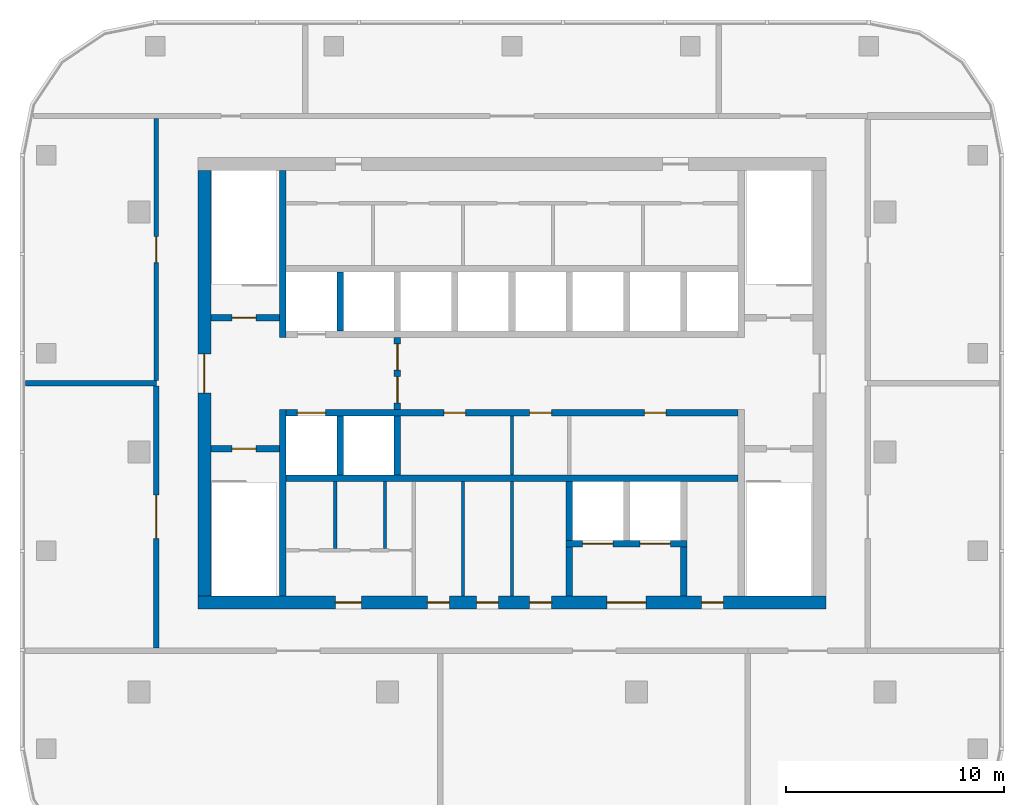
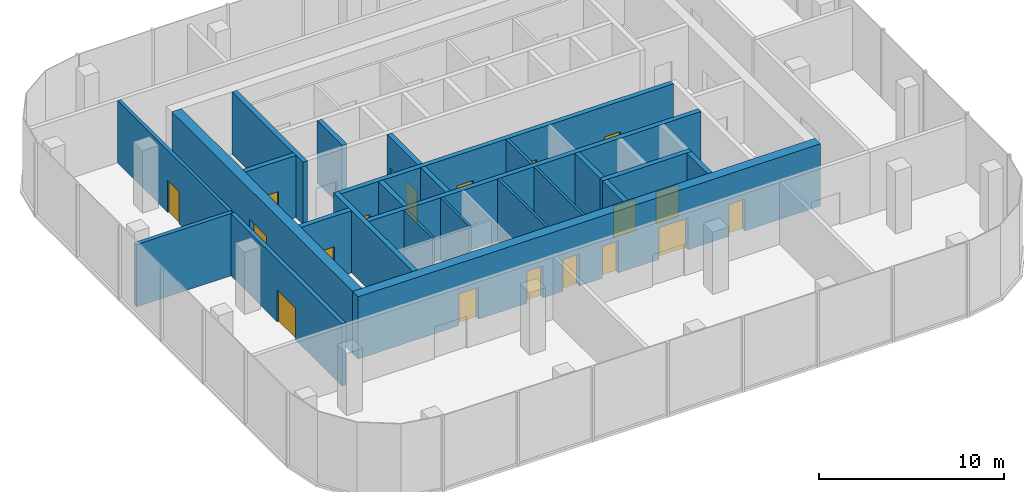
# One storey, part 4 of 6: 24 walls, 19 doors, 19 openings.
"""IFC4 building model written with IfcOpenShell, lengths in metres."""

from ifc_helpers import new_model, si_unit, direction, frame, frame_2d, origin, place, context, subcontext, project, spatial, rectangle, extrude, material, layer, layer_set, type_object, element, fill, save


model = new_model("IFC4")

# Units and contexts
model_context = context("Model", 3, precision=1e-05, world=origin(), true_north=direction((0.0, 1.0)))
body_context = subcontext(model_context, "Body", "Model", "MODEL_VIEW")
ifc_project = project(units=[si_unit("LENGTHUNIT", "METRE"), si_unit("AREAUNIT", "SQUARE_METRE"), si_unit("VOLUMEUNIT", "CUBIC_METRE"), si_unit("PLANEANGLEUNIT", "RADIAN"), si_unit("MASSUNIT", "GRAM", prefix="KILO")], contexts=[model_context])

# Site, building, storey
site_placement = place(None, origin())
site = spatial("IfcSite", under=ifc_project, at=site_placement, CompositionType="ELEMENT")
building_placement = place(site_placement, origin())
building = spatial("IfcBuilding", under=site, at=building_placement, Name="Mopane Tessera Tower", CompositionType="ELEMENT")
storey_placement = place(building_placement, frame((0.0, 0.0, 357.39990234375)))
storey = spatial("IfcBuildingStorey", under=building, at=storey_placement, Name="Roof plant", CompositionType="ELEMENT", Elevation=357.39990234375)

# Walls
ifc_material_1 = material(Name="Fire-rated gypsum board partition")
ifc_layer_1 = layer(ifc_material_1, 0.14990234375)
ifc_layer_set_1 = layer_set([ifc_layer_1], Name="Fire-rated gypsum board partition")
wall_type_1 = type_object("IfcWallType", Name="Core room partition 150 mm", PredefinedType="PARTITIONING", material=ifc_layer_set_1)
for number, where, z_axis, x_axis, name in (
    (1, (-8.10009765625, -4.425048828125, 0.0), (0.0, 0.0, 1.0), (0.0, 1.0, 0.0), "Roof plant WC partition"),
    (2, (-5.820068359375, -4.425048828125, 0.0), (0.0, 0.0, 1.0), (0.0, 1.0, 0.0), "Roof plant WC partition"),
):
    element("IfcWall", number, at=place(storey_placement, frame(where, z_axis=z_axis, x_axis=x_axis)), inside=storey, type_object=wall_type_1, Name=name, PredefinedType="PARTITIONING", context=body_context, shape_type="SweptSolid", body=[
        extrude(rectangle(XDim=3.074951171875, YDim=0.14990234375, at=frame_2d((1.53759765625, 0.0))), origin(), (0.0, 0.0, 1.0), 4.10009765625),
    ])
for number, where, z_axis, x_axis, name in (
    (3, (-2.25, -6.60009765625, 0.0), (0.0, 0.0, 1.0), (0.0, 1.0, 0.0), "Roof plant Room partition"),
    (4, (0.0, -6.60009765625, 0.0), (0.0, 0.0, 1.0), (0.0, 1.0, 0.0), "Roof plant Room partition"),
):
    element("IfcWall", number, at=place(storey_placement, frame(where, z_axis=z_axis, x_axis=x_axis)), inside=storey, type_object=wall_type_1, Name=name, PredefinedType="PARTITIONING", context=body_context, shape_type="SweptSolid", body=[
        extrude(rectangle(XDim=5.25, YDim=0.14990234375, at=frame_2d((2.625, 0.0))), origin(), (0.0, 0.0, 1.0), 4.10009765625),
    ])
wall_1_placement = place(storey_placement, frame((0.0, -1.050048828125, 0.0), z_axis=(0.0, 0.0, 1.0), x_axis=(0.0, 1.0, 0.0)))
element("IfcWall", 5, at=wall_1_placement, inside=storey, type_object=wall_type_1, Name="Roof plant Room partition", PredefinedType="PARTITIONING", context=body_context, shape_type="SweptSolid", body=[
    extrude(rectangle(XDim=2.699951171875, YDim=0.14990234375, at=frame_2d((1.35009765625, 0.0))), origin(), (0.0, 0.0, 1.0), 4.10009765625),
])

# Wall, openings, doors
ifc_material_2 = material(Name="Concrete C70/85", Category="concrete")
ifc_layer_2 = layer(ifc_material_2, 0.60009765625)
ifc_layer_set_2 = layer_set([ifc_layer_2], Name="Concrete C70/85")
wall_type_2 = type_object("IfcWallType", Name="Core shear wall 600 mm", PredefinedType="SHEAR", material=ifc_layer_set_2)
wall_2_placement = place(storey_placement, frame((-14.39990234375, -6.89990234375, 0.0), z_axis=(0.0, 0.0, 1.0), x_axis=(1.0, 0.0, 0.0)))
wall_2 = element("IfcWall", 6, at=wall_2_placement, inside=storey, type_object=wall_type_2, Name="Roof plant Core wall south", PredefinedType="SHEAR", context=body_context, shape_type="SweptSolid", body=[
    extrude(rectangle(XDim=28.7998046875, YDim=0.60009765625, at=frame_2d((14.39990234375, 0.0))), origin(), (0.0, 0.0, 1.0), 4.10009765625),
])
opening_1_placement = place(wall_2_placement, frame((6.300048828125, 0.0, 0.0)))
opening_1 = element("IfcOpeningElement", 7, at=opening_1_placement, cuts=wall_2, Name="Opening WD3", PredefinedType="OPENING", context=body_context, shape_type="SweptSolid", body=[
    extrude(rectangle(XDim=1.199951171875, YDim=2.10009765625, at=frame_2d((0.60009765625, 1.050048828125))), frame((0.0, 0.31201171875, 0.0), z_axis=(0.0, -1.0, 0.0), x_axis=(1.0, 0.0, 0.0)), (0.0, 0.0, 1.0), 0.6240234375),
])
opening_2_placement = place(wall_2_placement, frame((10.52490234375, 0.0, 0.0)))
opening_2 = element("IfcOpeningElement", 8, at=opening_2_placement, cuts=wall_2, Name="Opening RD1", PredefinedType="OPENING", context=body_context, shape_type="SweptSolid", body=[
    extrude(rectangle(XDim=1.0, YDim=2.10009765625, at=frame_2d((0.5, 1.050048828125))), frame((0.0, 0.31201171875, 0.0), z_axis=(0.0, -1.0, 0.0), x_axis=(1.0, 0.0, 0.0)), (0.0, 0.0, 1.0), 0.6240234375),
])
opening_3_placement = place(wall_2_placement, frame((12.77490234375, 0.0, 0.0)))
opening_3 = element("IfcOpeningElement", 9, at=opening_3_placement, cuts=wall_2, Name="Opening RD1", PredefinedType="OPENING", context=body_context, shape_type="SweptSolid", body=[
    extrude(rectangle(XDim=1.0, YDim=2.10009765625, at=frame_2d((0.5, 1.050048828125))), frame((0.0, 0.31201171875, 0.0), z_axis=(0.0, -1.0, 0.0), x_axis=(1.0, 0.0, 0.0)), (0.0, 0.0, 1.0), 0.6240234375),
])
opening_4_placement = place(wall_2_placement, frame((15.21240234375, 0.0, 0.0)))
opening_4 = element("IfcOpeningElement", 10, at=opening_4_placement, cuts=wall_2, Name="Opening RD1", PredefinedType="OPENING", context=body_context, shape_type="SweptSolid", body=[
    extrude(rectangle(XDim=1.0, YDim=2.10009765625, at=frame_2d((0.5, 1.050048828125))), frame((0.0, 0.31201171875, 0.0), z_axis=(0.0, -1.0, 0.0), x_axis=(1.0, 0.0, 0.0)), (0.0, 0.0, 1.0), 0.6240234375),
])
opening_5_placement = place(wall_2_placement, frame((18.75, 0.0, 0.0)))
opening_5 = element("IfcOpeningElement", 11, at=opening_5_placement, cuts=wall_2, Name="Opening SD2", PredefinedType="OPENING", context=body_context, shape_type="SweptSolid", body=[
    extrude(rectangle(XDim=1.800048828125, YDim=2.10009765625, at=frame_2d((0.89990234375, 1.050048828125))), frame((0.0, 0.31201171875, 0.0), z_axis=(0.0, -1.0, 0.0), x_axis=(1.0, 0.0, 0.0)), (0.0, 0.0, 1.0), 0.6240234375),
])
opening_6_placement = place(wall_2_placement, frame((23.08740234375, 0.0, 0.0)))
opening_6 = element("IfcOpeningElement", 12, at=opening_6_placement, cuts=wall_2, Name="Opening RD1", PredefinedType="OPENING", context=body_context, shape_type="SweptSolid", body=[
    extrude(rectangle(XDim=1.0, YDim=2.10009765625, at=frame_2d((0.5, 1.050048828125))), frame((0.0, 0.31201171875, 0.0), z_axis=(0.0, -1.0, 0.0), x_axis=(1.0, 0.0, 0.0)), (0.0, 0.0, 1.0), 0.6240234375),
])
ifc_material_3 = material(Name="Steel fire door", Category="steel")
door_type_1 = type_object("IfcDoorType", Name="Core entrance double door 1800 x 2100", OperationType="DOUBLE_DOOR_SINGLE_SWING", PredefinedType="DOOR", material=ifc_material_3)
door_1_placement = place(opening_5_placement, origin())
door_1 = element("IfcDoor", 13, at=door_1_placement, inside=storey, type_object=door_type_1, Name="Roof plant Service lobby door", OperationType="DOUBLE_DOOR_SINGLE_SWING", OverallHeight=2.10009765625, OverallWidth=1.800048828125, PredefinedType="DOOR", context=body_context, shape_type="SweptSolid", body=[
    extrude(rectangle(XDim=1.800048828125, YDim=2.10009765625, at=frame_2d((0.89990234375, 1.050048828125))), frame((0.0, 0.02490234375, 0.0), z_axis=(0.0, -1.0, 0.0), x_axis=(1.0, 0.0, 0.0)), (0.0, 0.0, 1.0), 0.050048828125),
])
fill(opening_5, door_1)
ifc_material_4 = material(Name="Timber door", Category="wood")
door_type_2 = type_object("IfcDoorType", Name="Core room door 1000 x 2100", OperationType="SINGLE_SWING_LEFT", PredefinedType="DOOR", material=ifc_material_4)
door_2_placement = place(opening_2_placement, origin())
door_2 = element("IfcDoor", 14, at=door_2_placement, inside=storey, type_object=door_type_2, Name="Roof plant Room door", OperationType="SINGLE_SWING_LEFT", OverallHeight=2.10009765625, OverallWidth=1.0, PredefinedType="DOOR", context=body_context, shape_type="SweptSolid", body=[
    extrude(rectangle(XDim=1.0, YDim=2.10009765625, at=frame_2d((0.5, 1.050048828125))), frame((0.0, 0.02490234375, 0.0), z_axis=(0.0, -1.0, 0.0), x_axis=(1.0, 0.0, 0.0)), (0.0, 0.0, 1.0), 0.050048828125),
])
fill(opening_2, door_2)
door_3_placement = place(opening_3_placement, origin())
door_3 = element("IfcDoor", 15, at=door_3_placement, inside=storey, type_object=door_type_2, Name="Roof plant Room door", OperationType="SINGLE_SWING_LEFT", OverallHeight=2.10009765625, OverallWidth=1.0, PredefinedType="DOOR", context=body_context, shape_type="SweptSolid", body=[
    extrude(rectangle(XDim=1.0, YDim=2.10009765625, at=frame_2d((0.5, 1.050048828125))), frame((0.0, 0.02490234375, 0.0), z_axis=(0.0, -1.0, 0.0), x_axis=(1.0, 0.0, 0.0)), (0.0, 0.0, 1.0), 0.050048828125),
])
fill(opening_3, door_3)
door_4_placement = place(opening_4_placement, origin())
door_4 = element("IfcDoor", 16, at=door_4_placement, inside=storey, type_object=door_type_2, Name="Roof plant Room door", OperationType="SINGLE_SWING_LEFT", OverallHeight=2.10009765625, OverallWidth=1.0, PredefinedType="DOOR", context=body_context, shape_type="SweptSolid", body=[
    extrude(rectangle(XDim=1.0, YDim=2.10009765625, at=frame_2d((0.5, 1.050048828125))), frame((0.0, 0.02490234375, 0.0), z_axis=(0.0, -1.0, 0.0), x_axis=(1.0, 0.0, 0.0)), (0.0, 0.0, 1.0), 0.050048828125),
])
fill(opening_4, door_4)
door_5_placement = place(opening_6_placement, origin())
door_5 = element("IfcDoor", 17, at=door_5_placement, inside=storey, type_object=door_type_2, Name="Roof plant Room door", OperationType="SINGLE_SWING_LEFT", OverallHeight=2.10009765625, OverallWidth=1.0, PredefinedType="DOOR", context=body_context, shape_type="SweptSolid", body=[
    extrude(rectangle(XDim=1.0, YDim=2.10009765625, at=frame_2d((0.5, 1.050048828125))), frame((0.0, 0.02490234375, 0.0), z_axis=(0.0, -1.0, 0.0), x_axis=(1.0, 0.0, 0.0)), (0.0, 0.0, 1.0), 0.050048828125),
])
fill(opening_6, door_5)
ifc_material_5 = material(Name="Timber door", Category="wood")
door_type_3 = type_object("IfcDoorType", Name="WC lobby door 1200 x 2100", OperationType="SINGLE_SWING_LEFT", PredefinedType="DOOR", material=ifc_material_5)
door_6_placement = place(opening_1_placement, origin())
door_6 = element("IfcDoor", 18, at=door_6_placement, inside=storey, type_object=door_type_3, Name="Roof plant WC lobby door", OperationType="SINGLE_SWING_LEFT", OverallHeight=2.10009765625, OverallWidth=1.199951171875, PredefinedType="DOOR", context=body_context, shape_type="SweptSolid", body=[
    extrude(rectangle(XDim=1.199951171875, YDim=2.10009765625, at=frame_2d((0.60009765625, 1.050048828125))), frame((0.0, 0.02490234375, 0.0), z_axis=(0.0, -1.0, 0.0), x_axis=(1.0, 0.0, 0.0)), (0.0, 0.0, 1.0), 0.050048828125),
])
fill(opening_1, door_6)

# Wall, opening, door
wall_3_placement = place(storey_placement, frame((-14.10009765625, -6.60009765625, 0.0), z_axis=(0.0, 0.0, 1.0), x_axis=(0.0, 1.0, 0.0)))
wall_3 = element("IfcWall", 19, at=wall_3_placement, inside=storey, type_object=wall_type_2, Name="Roof plant Core wall west", PredefinedType="SHEAR", context=body_context, shape_type="SweptSolid", body=[
    extrude(rectangle(XDim=19.5, YDim=0.60009765625, at=frame_2d((9.75, 0.0))), origin(), (0.0, 0.0, 1.0), 4.10009765625),
])
opening_7_placement = place(wall_3_placement, frame((9.300048828125, 0.0, 0.0)))
opening_7 = element("IfcOpeningElement", 20, at=opening_7_placement, cuts=wall_3, Name="Opening SD2", PredefinedType="OPENING", context=body_context, shape_type="SweptSolid", body=[
    extrude(rectangle(XDim=1.800048828125, YDim=2.10009765625, at=frame_2d((0.89990234375, 1.050048828125))), frame((0.0, 0.31201171875, 0.0), z_axis=(0.0, -1.0, 0.0), x_axis=(1.0, 0.0, 0.0)), (0.0, 0.0, 1.0), 0.6240234375),
])
door_7_placement = place(opening_7_placement, origin())
door_7 = element("IfcDoor", 21, at=door_7_placement, inside=storey, type_object=door_type_1, Name="Roof plant Core entrance door west", OperationType="DOUBLE_DOOR_SINGLE_SWING", OverallHeight=2.10009765625, OverallWidth=1.800048828125, PredefinedType="DOOR", context=body_context, shape_type="SweptSolid", body=[
    extrude(rectangle(XDim=1.800048828125, YDim=2.10009765625, at=frame_2d((0.89990234375, 1.050048828125))), frame((0.0, 0.02490234375, 0.0), z_axis=(0.0, -1.0, 0.0), x_axis=(1.0, 0.0, 0.0)), (0.0, 0.0, 1.0), 0.050048828125),
])
fill(opening_7, door_7)

# Walls
ifc_material_6 = material(Name="Concrete C60/75", Category="concrete")
ifc_layer_3 = layer(ifc_material_6, 0.300048828125)
ifc_layer_set_3 = layer_set([ifc_layer_3], Name="Concrete C60/75")
wall_type_3 = type_object("IfcWallType", Name="Core spine wall 300 mm", PredefinedType="SHEAR", material=ifc_layer_set_3)
wall_4_placement = place(storey_placement, frame((-10.5, -6.60009765625, 0.0), z_axis=(0.0, 0.0, 1.0), x_axis=(0.0, 1.0, 0.0)))
element("IfcWall", 22, at=wall_4_placement, inside=storey, type_object=wall_type_3, Name="Roof plant Core spine wall", PredefinedType="SHEAR", context=body_context, shape_type="SweptSolid", body=[
    extrude(rectangle(XDim=8.550048828125, YDim=0.300048828125, at=frame_2d((4.27490234375, 0.0))), origin(), (0.0, 0.0, 1.0), 4.10009765625),
])
wall_5_placement = place(storey_placement, frame((-10.5, 5.25, 0.0), z_axis=(0.0, 0.0, 1.0), x_axis=(0.0, 1.0, 0.0)))
element("IfcWall", 23, at=wall_5_placement, inside=storey, type_object=wall_type_3, Name="Roof plant Core spine wall", PredefinedType="SHEAR", context=body_context, shape_type="SweptSolid", body=[
    extrude(rectangle(XDim=7.64990234375, YDim=0.300048828125, at=frame_2d((3.824951171875, 0.0))), origin(), (0.0, 0.0, 1.0), 4.10009765625),
])

# Wall, opening, door
ifc_material_7 = material(Name="Gypsum board on steel studs, two layers each face, mineral wool infill", Category="steel")
ifc_layer_4 = layer(ifc_material_7, 0.199951171875)
ifc_layer_set_4 = layer_set([ifc_layer_4], Name="Gypsum board on steel studs, two layers each face, mineral wool infill")
wall_type_4 = type_object("IfcWallType", Name="Gypsum board corridor wall 200, rated EI 60", PredefinedType="PARTITIONING", material=ifc_layer_set_4)
wall_6_placement = place(storey_placement, frame((-16.300048828125, 3.27490234375, 0.0), z_axis=(0.0, 0.0, 1.0), x_axis=(0.0, 1.0, 0.0)))
wall_6 = element("IfcWall", 24, at=wall_6_placement, inside=storey, type_object=wall_type_4, Name="Partition Roof plant:008", PredefinedType="PARTITIONING", context=body_context, shape_type="SweptSolid", body=[
    extrude(rectangle(XDim=12.0, YDim=0.199951171875, at=frame_2d((6.0, 0.0))), origin(), (0.0, 0.0, 1.0), 4.10009765625),
])
opening_8_placement = place(wall_6_placement, frame((5.39990234375, 0.0, 0.0)))
opening_8 = element("IfcOpeningElement", 25, at=opening_8_placement, cuts=wall_6, Name="Opening Roof plant-08", PredefinedType="OPENING", context=body_context, shape_type="SweptSolid", body=[
    extrude(rectangle(XDim=1.199951171875, YDim=2.10009765625, at=frame_2d((0.60009765625, 1.050048828125))), frame((0.0, 0.112060546875, 0.0), z_axis=(0.0, -1.0, 0.0), x_axis=(1.0, 0.0, 0.0)), (0.0, 0.0, 1.0), 0.223876953125),
])
ifc_material_8 = material(Name="Timber veneered steel-framed fire door", Category="steel")
door_type_4 = type_object("IfcDoorType", Name="Fire door FD60 1200 x 2100", OperationType="SINGLE_SWING_LEFT", PredefinedType="DOOR", material=ifc_material_8)
door_8_placement = place(opening_8_placement, origin())
door_8 = element("IfcDoor", 26, at=door_8_placement, inside=storey, type_object=door_type_4, Name="Door Roof plant-08", ObjectType="D15A", OperationType="SINGLE_SWING_LEFT", OverallHeight=2.10009765625, OverallWidth=1.199951171875, PredefinedType="DOOR", context=body_context, shape_type="SweptSolid", body=[
    extrude(rectangle(XDim=1.199951171875, YDim=2.10009765625, at=frame_2d((0.60009765625, 1.050048828125))), frame((0.0, 0.02490234375, 0.0), z_axis=(0.0, -1.0, 0.0), x_axis=(1.0, 0.0, 0.0)), (0.0, 0.0, 1.0), 0.050048828125),
])
fill(opening_8, door_8)

ifc_material_9 = material(Name="Concrete C50/60", Category="concrete")
ifc_layer_5 = layer(ifc_material_9, 0.300048828125)
ifc_layer_set_5 = layer_set([ifc_layer_5], Name="Concrete C50/60")
wall_type_5 = type_object("IfcWallType", Name="Lift and stair shaft wall 300 mm", PredefinedType="SOLIDWALL", material=ifc_layer_set_5)
wall_7_placement = place(storey_placement, frame((-13.800048828125, 0.14990234375, 0.0), z_axis=(0.0, 0.0, 1.0), x_axis=(1.0, 0.0, 0.0)))
wall_7 = element("IfcWall", 27, at=wall_7_placement, inside=storey, type_object=wall_type_5, Name="Roof plant Stair enclosure wall", PredefinedType="SOLIDWALL", context=body_context, shape_type="SweptSolid", body=[
    extrude(rectangle(XDim=3.150146484375, YDim=0.300048828125, at=frame_2d((1.5751953125, 0.0))), origin(), (0.0, 0.0, 1.0), 4.10009765625),
])
opening_9_placement = place(wall_7_placement, frame((0.97509765625, 0.0, 0.0)))
opening_9 = element("IfcOpeningElement", 28, at=opening_9_placement, cuts=wall_7, Name="Opening SD1", PredefinedType="OPENING", context=body_context, shape_type="SweptSolid", body=[
    extrude(rectangle(XDim=1.10009765625, YDim=2.10009765625, at=frame_2d((0.550048828125, 1.050048828125))), frame((0.0, 0.162109375, 0.0), z_axis=(0.0, -1.0, 0.0), x_axis=(1.0, 0.0, 0.0)), (0.0, 0.0, 1.0), 0.323974609375),
])
ifc_material_10 = material(Name="Steel fire door", Category="steel")
door_type_5 = type_object("IfcDoorType", Name="Stair fire door 1100 x 2100", OperationType="SINGLE_SWING_LEFT", PredefinedType="DOOR", material=ifc_material_10)
door_9_placement = place(opening_9_placement, origin())
door_9 = element("IfcDoor", 29, at=door_9_placement, inside=storey, type_object=door_type_5, Name="Roof plant Stair door ST1", OperationType="SINGLE_SWING_LEFT", OverallHeight=2.10009765625, OverallWidth=1.10009765625, PredefinedType="DOOR", context=body_context, shape_type="SweptSolid", body=[
    extrude(rectangle(XDim=1.10009765625, YDim=2.10009765625, at=frame_2d((0.550048828125, 1.050048828125))), frame((0.0, 0.02490234375, 0.0), z_axis=(0.0, -1.0, 0.0), x_axis=(1.0, 0.0, 0.0)), (0.0, 0.0, 1.0), 0.050048828125),
])
fill(opening_9, door_9)

wall_8_placement = place(storey_placement, frame((-13.800048828125, 6.14990234375, 0.0), z_axis=(0.0, 0.0, 1.0), x_axis=(1.0, 0.0, 0.0)))
wall_8 = element("IfcWall", 30, at=wall_8_placement, inside=storey, type_object=wall_type_5, Name="Roof plant Stair enclosure wall", PredefinedType="SOLIDWALL", context=body_context, shape_type="SweptSolid", body=[
    extrude(rectangle(XDim=3.150146484375, YDim=0.300048828125, at=frame_2d((1.5751953125, 0.0))), origin(), (0.0, 0.0, 1.0), 4.10009765625),
])
opening_10_placement = place(wall_8_placement, frame((0.97509765625, 0.0, 0.0)))
opening_10 = element("IfcOpeningElement", 31, at=opening_10_placement, cuts=wall_8, Name="Opening SD1", PredefinedType="OPENING", context=body_context, shape_type="SweptSolid", body=[
    extrude(rectangle(XDim=1.10009765625, YDim=2.10009765625, at=frame_2d((0.550048828125, 1.050048828125))), frame((0.0, 0.162109375, 0.0), z_axis=(0.0, -1.0, 0.0), x_axis=(1.0, 0.0, 0.0)), (0.0, 0.0, 1.0), 0.323974609375),
])
door_10_placement = place(opening_10_placement, origin())
door_10 = element("IfcDoor", 32, at=door_10_placement, inside=storey, type_object=door_type_5, Name="Roof plant Stair door ST2", OperationType="SINGLE_SWING_LEFT", OverallHeight=2.10009765625, OverallWidth=1.10009765625, PredefinedType="DOOR", context=body_context, shape_type="SweptSolid", body=[
    extrude(rectangle(XDim=1.10009765625, YDim=2.10009765625, at=frame_2d((0.550048828125, 1.050048828125))), frame((0.0, 0.02490234375, 0.0), z_axis=(0.0, -1.0, 0.0), x_axis=(1.0, 0.0, 0.0)), (0.0, 0.0, 1.0), 0.050048828125),
])
fill(opening_10, door_10)

# Wall
wall_9_placement = place(storey_placement, frame((-10.35009765625, -1.199951171875, 0.0), z_axis=(0.0, 0.0, 1.0), x_axis=(1.0, 0.0, 0.0)))
element("IfcWall", 33, at=wall_9_placement, inside=storey, type_object=wall_type_5, Name="Roof plant Lift shaft rear wall", PredefinedType="SOLIDWALL", context=body_context, shape_type="SweptSolid", body=[
    extrude(rectangle(XDim=20.7001953125, YDim=0.300048828125, at=frame_2d((10.35009765625, 0.0))), origin(), (0.0, 0.0, 1.0), 4.10009765625),
])

# Wall, openings, doors
wall_10_placement = place(storey_placement, frame((-10.35009765625, 1.800048828125, 0.0), z_axis=(0.0, 0.0, 1.0), x_axis=(1.0, 0.0, 0.0)))
wall_10 = element("IfcWall", 34, at=wall_10_placement, inside=storey, type_object=wall_type_5, Name="Roof plant Lift shaft front wall", PredefinedType="SOLIDWALL", context=body_context, shape_type="SweptSolid", body=[
    extrude(rectangle(XDim=20.7001953125, YDim=0.300048828125, at=frame_2d((10.35009765625, 0.0))), origin(), (0.0, 0.0, 1.0), 4.10009765625),
])
opening_11_placement = place(wall_10_placement, frame((0.512451171875, 0.0, 0.0)))
opening_11 = element("IfcOpeningElement", 35, at=opening_11_placement, cuts=wall_10, Name="Opening LD2", PredefinedType="OPENING", context=body_context, shape_type="SweptSolid", body=[
    extrude(rectangle(XDim=1.300048828125, YDim=2.10009765625, at=frame_2d((0.64990234375, 1.050048828125))), frame((0.0, 0.162109375, 0.0), z_axis=(0.0, -1.0, 0.0), x_axis=(1.0, 0.0, 0.0)), (0.0, 0.0, 1.0), 0.323974609375),
])
opening_12_placement = place(wall_10_placement, frame((7.22509765625, 0.0, 0.0)))
opening_12 = element("IfcOpeningElement", 36, at=opening_12_placement, cuts=wall_10, Name="Opening RD1", PredefinedType="OPENING", context=body_context, shape_type="SweptSolid", body=[
    extrude(rectangle(XDim=1.0, YDim=2.10009765625, at=frame_2d((0.5, 1.050048828125))), frame((0.0, 0.162109375, 0.0), z_axis=(0.0, -1.0, 0.0), x_axis=(1.0, 0.0, 0.0)), (0.0, 0.0, 1.0), 0.323974609375),
])
opening_13_placement = place(wall_10_placement, frame((11.16259765625, 0.0, 0.0)))
opening_13 = element("IfcOpeningElement", 37, at=opening_13_placement, cuts=wall_10, Name="Opening RD1", PredefinedType="OPENING", context=body_context, shape_type="SweptSolid", body=[
    extrude(rectangle(XDim=1.0, YDim=2.10009765625, at=frame_2d((0.5, 1.050048828125))), frame((0.0, 0.162109375, 0.0), z_axis=(0.0, -1.0, 0.0), x_axis=(1.0, 0.0, 0.0)), (0.0, 0.0, 1.0), 0.323974609375),
])
opening_14_placement = place(wall_10_placement, frame((16.41259765625, 0.0, 0.0)))
opening_14 = element("IfcOpeningElement", 38, at=opening_14_placement, cuts=wall_10, Name="Opening RD1", PredefinedType="OPENING", context=body_context, shape_type="SweptSolid", body=[
    extrude(rectangle(XDim=1.0, YDim=2.10009765625, at=frame_2d((0.5, 1.050048828125))), frame((0.0, 0.162109375, 0.0), z_axis=(0.0, -1.0, 0.0), x_axis=(1.0, 0.0, 0.0)), (0.0, 0.0, 1.0), 0.323974609375),
])
door_11_placement = place(opening_12_placement, origin())
door_11 = element("IfcDoor", 39, at=door_11_placement, inside=storey, type_object=door_type_2, Name="Roof plant Room door", OperationType="SINGLE_SWING_LEFT", OverallHeight=2.10009765625, OverallWidth=1.0, PredefinedType="DOOR", context=body_context, shape_type="SweptSolid", body=[
    extrude(rectangle(XDim=1.0, YDim=2.10009765625, at=frame_2d((0.5, 1.050048828125))), frame((0.0, 0.02490234375, 0.0), z_axis=(0.0, -1.0, 0.0), x_axis=(1.0, 0.0, 0.0)), (0.0, 0.0, 1.0), 0.050048828125),
])
fill(opening_12, door_11)
door_12_placement = place(opening_13_placement, origin())
door_12 = element("IfcDoor", 40, at=door_12_placement, inside=storey, type_object=door_type_2, Name="Roof plant Room door", OperationType="SINGLE_SWING_LEFT", OverallHeight=2.10009765625, OverallWidth=1.0, PredefinedType="DOOR", context=body_context, shape_type="SweptSolid", body=[
    extrude(rectangle(XDim=1.0, YDim=2.10009765625, at=frame_2d((0.5, 1.050048828125))), frame((0.0, 0.02490234375, 0.0), z_axis=(0.0, -1.0, 0.0), x_axis=(1.0, 0.0, 0.0)), (0.0, 0.0, 1.0), 0.050048828125),
])
fill(opening_13, door_12)
door_13_placement = place(opening_14_placement, origin())
door_13 = element("IfcDoor", 41, at=door_13_placement, inside=storey, type_object=door_type_2, Name="Roof plant Room door", OperationType="SINGLE_SWING_LEFT", OverallHeight=2.10009765625, OverallWidth=1.0, PredefinedType="DOOR", context=body_context, shape_type="SweptSolid", body=[
    extrude(rectangle(XDim=1.0, YDim=2.10009765625, at=frame_2d((0.5, 1.050048828125))), frame((0.0, 0.02490234375, 0.0), z_axis=(0.0, -1.0, 0.0), x_axis=(1.0, 0.0, 0.0)), (0.0, 0.0, 1.0), 0.050048828125),
])
fill(opening_14, door_13)
ifc_material_11 = material(Name="Stainless steel sliding door", Category="steel")
door_type_6 = type_object("IfcDoorType", Name="Fire-fighting lift landing door 1300 x 2100", OperationType="DOUBLE_DOOR_SLIDING", PredefinedType="DOOR", material=ifc_material_11)
door_14_placement = place(opening_11_placement, origin())
door_14 = element("IfcDoor", 42, at=door_14_placement, inside=storey, type_object=door_type_6, Name="Roof plant Lift landing door FF1", OperationType="DOUBLE_DOOR_SLIDING", OverallHeight=2.10009765625, OverallWidth=1.300048828125, PredefinedType="DOOR", context=body_context, shape_type="SweptSolid", body=[
    extrude(rectangle(XDim=1.300048828125, YDim=2.10009765625, at=frame_2d((0.64990234375, 1.050048828125))), frame((0.0, 0.02490234375, 0.0), z_axis=(0.0, -1.0, 0.0), x_axis=(1.0, 0.0, 0.0)), (0.0, 0.0, 1.0), 0.050048828125),
])
fill(opening_11, door_14)

# Walls
for number, where, z_axis, x_axis, name in (
    (43, (-7.875, -1.050048828125, 0.0), (0.0, 0.0, 1.0), (0.0, 1.0, 0.0), "Roof plant Lift shaft wall"),
    (44, (-5.25, -1.050048828125, 0.0), (0.0, 0.0, 1.0), (0.0, 1.0, 0.0), "Roof plant Lift shaft wall"),
    (45, (-7.875, 5.550048828125, 0.0), (0.0, 0.0, 1.0), (0.0, 1.0, 0.0), "Roof plant Lift shaft wall"),
):
    element("IfcWall", number, at=place(storey_placement, frame(where, z_axis=z_axis, x_axis=x_axis)), inside=storey, type_object=wall_type_5, Name=name, PredefinedType="SOLIDWALL", context=body_context, shape_type="SweptSolid", body=[
        extrude(rectangle(XDim=2.699951171875, YDim=0.300048828125, at=frame_2d((1.35009765625, 0.0))), origin(), (0.0, 0.0, 1.0), 4.10009765625),
    ])

# Wall, openings, doors
wall_11_placement = place(storey_placement, frame((2.47509765625, -4.199951171875, 0.0), z_axis=(0.0, 0.0, 1.0), x_axis=(1.0, 0.0, 0.0)))
wall_11 = element("IfcWall", 46, at=wall_11_placement, inside=storey, type_object=wall_type_5, Name="Roof plant Lift shaft front wall", PredefinedType="SOLIDWALL", context=body_context, shape_type="SweptSolid", body=[
    extrude(rectangle(XDim=5.5498046875, YDim=0.300048828125, at=frame_2d((2.77490234375, 0.0))), origin(), (0.0, 0.0, 1.0), 4.10009765625),
])
opening_15_placement = place(wall_11_placement, frame((0.762451171875, 0.0, 0.0)))
opening_15 = element("IfcOpeningElement", 47, at=opening_15_placement, cuts=wall_11, Name="Opening LD3", PredefinedType="OPENING", context=body_context, shape_type="SweptSolid", body=[
    extrude(rectangle(XDim=1.39990234375, YDim=2.10009765625, at=frame_2d((0.699951171875, 1.050048828125))), frame((0.0, 0.162109375, 0.0), z_axis=(0.0, -1.0, 0.0), x_axis=(1.0, 0.0, 0.0)), (0.0, 0.0, 1.0), 0.323974609375),
])
opening_16_placement = place(wall_11_placement, frame((3.387451171875, 0.0, 0.0)))
opening_16 = element("IfcOpeningElement", 48, at=opening_16_placement, cuts=wall_11, Name="Opening LD3", PredefinedType="OPENING", context=body_context, shape_type="SweptSolid", body=[
    extrude(rectangle(XDim=1.39990234375, YDim=2.10009765625, at=frame_2d((0.699951171875, 1.050048828125))), frame((0.0, 0.162109375, 0.0), z_axis=(0.0, -1.0, 0.0), x_axis=(1.0, 0.0, 0.0)), (0.0, 0.0, 1.0), 0.323974609375),
])
ifc_material_12 = material(Name="Stainless steel sliding door", Category="steel")
door_type_7 = type_object("IfcDoorType", Name="Service lift landing door 1400 x 2100", OperationType="DOUBLE_DOOR_SLIDING", PredefinedType="DOOR", material=ifc_material_12)
door_15_placement = place(opening_15_placement, origin())
door_15 = element("IfcDoor", 49, at=door_15_placement, inside=storey, type_object=door_type_7, Name="Roof plant Lift landing door SV1", OperationType="DOUBLE_DOOR_SLIDING", OverallHeight=2.10009765625, OverallWidth=1.39990234375, PredefinedType="DOOR", context=body_context, shape_type="SweptSolid", body=[
    extrude(rectangle(XDim=1.39990234375, YDim=2.10009765625, at=frame_2d((0.699951171875, 1.050048828125))), frame((0.0, 0.02490234375, 0.0), z_axis=(0.0, -1.0, 0.0), x_axis=(1.0, 0.0, 0.0)), (0.0, 0.0, 1.0), 0.050048828125),
])
fill(opening_15, door_15)
door_16_placement = place(opening_16_placement, origin())
door_16 = element("IfcDoor", 50, at=door_16_placement, inside=storey, type_object=door_type_7, Name="Roof plant Lift landing door SV2", OperationType="DOUBLE_DOOR_SLIDING", OverallHeight=2.10009765625, OverallWidth=1.39990234375, PredefinedType="DOOR", context=body_context, shape_type="SweptSolid", body=[
    extrude(rectangle(XDim=1.39990234375, YDim=2.10009765625, at=frame_2d((0.699951171875, 1.050048828125))), frame((0.0, 0.02490234375, 0.0), z_axis=(0.0, -1.0, 0.0), x_axis=(1.0, 0.0, 0.0)), (0.0, 0.0, 1.0), 0.050048828125),
])
fill(opening_16, door_16)

# Wall
wall_12_placement = place(storey_placement, frame((2.625, -4.050048828125, 0.0), z_axis=(0.0, 0.0, 1.0), x_axis=(0.0, 1.0, 0.0)))
element("IfcWall", 51, at=wall_12_placement, inside=storey, type_object=wall_type_5, Name="Roof plant Lift shaft wall", PredefinedType="SOLIDWALL", context=body_context, shape_type="SweptSolid", body=[
    extrude(rectangle(XDim=2.699951171875, YDim=0.300048828125, at=frame_2d((1.35009765625, 0.0))), origin(), (0.0, 0.0, 1.0), 4.10009765625),
])

# Wall, openings, doors
ifc_material_13 = material(Name="Concrete C50/60", Category="concrete")
ifc_layer_6 = layer(ifc_material_13, 0.300048828125)
ifc_layer_set_6 = layer_set([ifc_layer_6], Name="Concrete C50/60")
wall_type_6 = type_object("IfcWallType", Name="Lobby and refuge room wall 300 mm", PredefinedType="SOLIDWALL", material=ifc_layer_set_6)
wall_13_placement = place(storey_placement, frame((-5.25, 1.949951171875, 0.0), z_axis=(0.0, 0.0, 1.0), x_axis=(0.0, 1.0, 0.0)))
wall_13 = element("IfcWall", 52, at=wall_13_placement, inside=storey, type_object=wall_type_6, Name="Roof plant Fire-fighting lobby wall", PredefinedType="SOLIDWALL", context=body_context, shape_type="SweptSolid", body=[
    extrude(rectangle(XDim=3.300048828125, YDim=0.300048828125, at=frame_2d((1.64990234375, 0.0))), origin(), (0.0, 0.0, 1.0), 4.10009765625),
])
opening_17_placement = place(wall_13_placement, frame((0.300048828125, 0.0, 0.0)))
opening_17 = element("IfcOpeningElement", 53, at=opening_17_placement, cuts=wall_13, Name="Opening SD3", PredefinedType="OPENING", context=body_context, shape_type="SweptSolid", body=[
    extrude(rectangle(XDim=1.199951171875, YDim=2.10009765625, at=frame_2d((0.60009765625, 1.050048828125))), frame((0.0, 0.162109375, 0.0), z_axis=(0.0, -1.0, 0.0), x_axis=(1.0, 0.0, 0.0)), (0.0, 0.0, 1.0), 0.323974609375),
])
opening_18_placement = place(wall_13_placement, frame((1.800048828125, 0.0, 0.0)))
opening_18 = element("IfcOpeningElement", 54, at=opening_18_placement, cuts=wall_13, Name="Opening SD3", PredefinedType="OPENING", context=body_context, shape_type="SweptSolid", body=[
    extrude(rectangle(XDim=1.199951171875, YDim=2.10009765625, at=frame_2d((0.60009765625, 1.050048828125))), frame((0.0, 0.162109375, 0.0), z_axis=(0.0, -1.0, 0.0), x_axis=(1.0, 0.0, 0.0)), (0.0, 0.0, 1.0), 0.323974609375),
])
ifc_material_14 = material(Name="Steel fire door", Category="steel")
door_type_8 = type_object("IfcDoorType", Name="Lobby fire door 1200 x 2100", OperationType="SINGLE_SWING_LEFT", PredefinedType="DOOR", material=ifc_material_14)
door_17_placement = place(opening_17_placement, origin())
door_17 = element("IfcDoor", 55, at=door_17_placement, inside=storey, type_object=door_type_8, Name="Roof plant Fire-fighting lobby door", OperationType="SINGLE_SWING_LEFT", OverallHeight=2.10009765625, OverallWidth=1.199951171875, PredefinedType="DOOR", context=body_context, shape_type="SweptSolid", body=[
    extrude(rectangle(XDim=1.199951171875, YDim=2.10009765625, at=frame_2d((0.60009765625, 1.050048828125))), frame((0.0, 0.02490234375, 0.0), z_axis=(0.0, -1.0, 0.0), x_axis=(1.0, 0.0, 0.0)), (0.0, 0.0, 1.0), 0.050048828125),
])
fill(opening_17, door_17)
door_18_placement = place(opening_18_placement, origin())
door_18 = element("IfcDoor", 56, at=door_18_placement, inside=storey, type_object=door_type_8, Name="Roof plant Fire-fighting lobby door", OperationType="SINGLE_SWING_RIGHT", OverallHeight=2.10009765625, OverallWidth=1.199951171875, PredefinedType="DOOR", context=body_context, shape_type="SweptSolid", body=[
    extrude(rectangle(XDim=1.199951171875, YDim=2.10009765625, at=frame_2d((0.60009765625, 1.050048828125))), frame((0.0, 0.02490234375, 0.0), z_axis=(0.0, -1.0, 0.0), x_axis=(1.0, 0.0, 0.0)), (0.0, 0.0, 1.0), 0.050048828125),
])
fill(opening_18, door_18)

# Walls
for number, where, z_axis, x_axis, name in (
    (57, (2.625, -6.60009765625, 0.0), (0.0, 0.0, 1.0), (0.0, 1.0, 0.0), "Roof plant Service lobby wall"),
    (58, (7.875, -6.60009765625, 0.0), (0.0, 0.0, 1.0), (0.0, 1.0, 0.0), "Roof plant Service lobby wall"),
):
    element("IfcWall", number, at=place(storey_placement, frame(where, z_axis=z_axis, x_axis=x_axis)), inside=storey, type_object=wall_type_6, Name=name, PredefinedType="SOLIDWALL", context=body_context, shape_type="SweptSolid", body=[
        extrude(rectangle(XDim=2.25, YDim=0.300048828125, at=frame_2d((1.125, 0.0))), origin(), (0.0, 0.0, 1.0), 4.10009765625),
    ])
ifc_material_15 = material(Name="Plastered concrete blockwork C20/25", Category="masonry")
ifc_layer_7 = layer(ifc_material_15, 0.25)
ifc_layer_set_7 = layer_set([ifc_layer_7], Name="Plastered concrete blockwork C20/25")
wall_type_7 = type_object("IfcWallType", Name="Plastered blockwork wall 250, rated EI 120", PredefinedType="PARTITIONING", material=ifc_layer_set_7)
wall_14_placement = place(storey_placement, frame((-22.300048828125, 3.14990234375, 0.0), z_axis=(0.0, 0.0, 1.0), x_axis=(1.0, 0.0, 0.0)))
element("IfcWall", 59, at=wall_14_placement, inside=storey, type_object=wall_type_7, Name="Partition Roof plant:003", PredefinedType="PARTITIONING", context=body_context, shape_type="SweptSolid", body=[
    extrude(rectangle(XDim=6.0, YDim=0.25, at=frame_2d((3.0, 0.0))), origin(), (0.0, 0.0, 1.0), 4.10009765625),
])

# Wall, opening, door
wall_15_placement = place(storey_placement, frame((-16.300048828125, -8.97509765625, 0.0), z_axis=(0.0, 0.0, 1.0), x_axis=(0.0, 1.0, 0.0)))
wall_15 = element("IfcWall", 60, at=wall_15_placement, inside=storey, type_object=wall_type_7, Name="Partition Roof plant:009", PredefinedType="PARTITIONING", context=body_context, shape_type="SweptSolid", body=[
    extrude(rectangle(XDim=12.0, YDim=0.25, at=frame_2d((6.0, 0.0))), origin(), (0.0, 0.0, 1.0), 4.10009765625),
])
opening_19_placement = place(wall_15_placement, frame((5.0, 0.0, 0.0)))
opening_19 = element("IfcOpeningElement", 61, at=opening_19_placement, cuts=wall_15, Name="Opening Roof plant-05", PredefinedType="OPENING", context=body_context, shape_type="SweptSolid", body=[
    extrude(rectangle(XDim=2.0, YDim=2.10009765625, at=frame_2d((1.0, 1.050048828125))), frame((0.0, 0.136962890625, 0.0), z_axis=(0.0, -1.0, 0.0), x_axis=(1.0, 0.0, 0.0)), (0.0, 0.0, 1.0), 0.27392578125),
])
ifc_material_16 = material(Name="Timber veneered steel-framed fire door", Category="steel")
door_type_9 = type_object("IfcDoorType", Name="Fire door pair FD120 2000 x 2100", OperationType="DOUBLE_DOOR_SINGLE_SWING", PredefinedType="DOOR", material=ifc_material_16)
door_19_placement = place(opening_19_placement, origin())
door_19 = element("IfcDoor", 62, at=door_19_placement, inside=storey, type_object=door_type_9, Name="Door Roof plant-05", ObjectType="D25B", OperationType="DOUBLE_DOOR_SINGLE_SWING", OverallHeight=2.10009765625, OverallWidth=2.0, PredefinedType="DOOR", context=body_context, shape_type="SweptSolid", body=[
    extrude(rectangle(XDim=2.0, YDim=2.10009765625, at=frame_2d((1.0, 1.050048828125))), frame((0.0, 0.02490234375, 0.0), z_axis=(0.0, -1.0, 0.0), x_axis=(1.0, 0.0, 0.0)), (0.0, 0.0, 1.0), 0.050048828125),
])
fill(opening_19, door_19)

save(model, "model.ifc")
